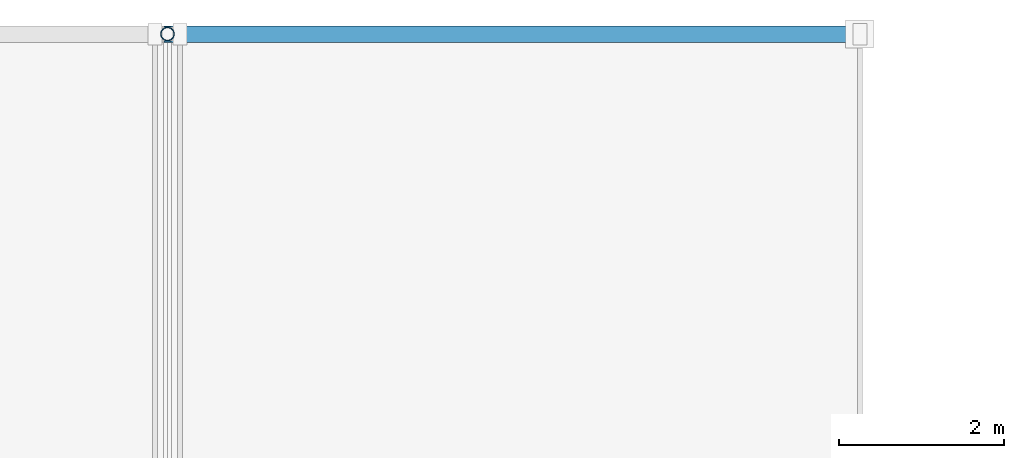
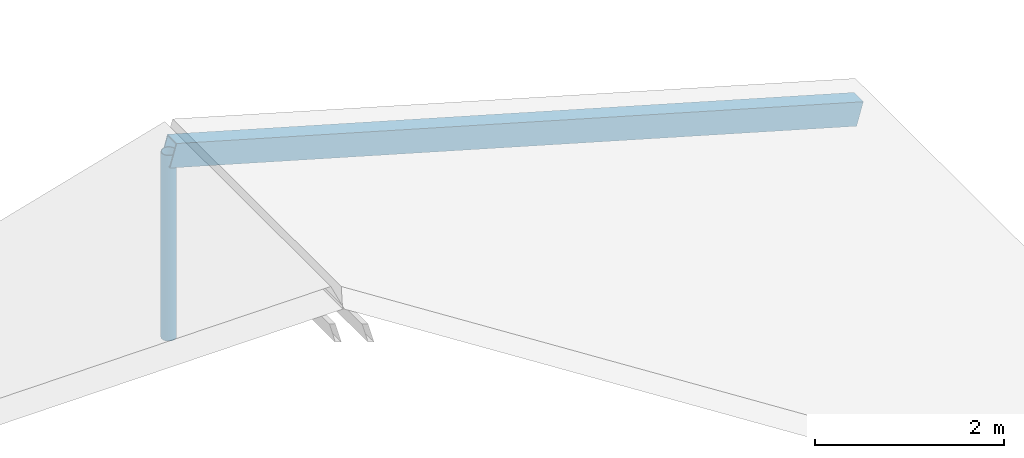
# One storey, part 72 of 130: 2 members.
"""IFC4 building model written with IfcOpenShell, lengths in metres."""

from ifc_helpers import new_model, si_unit, direction, frame, origin, origin_2d, place, context, subcontext, project, spatial, hollow_rectangle, hollow_circle, extrude, material, material_profile, profile_set, type_object, element, save


model = new_model("IFC4")

# Units and contexts
model_context = context("Model", 3, precision=1e-05, world=origin(), true_north=direction((0.0, 1.0)))
body_context = subcontext(model_context, "Body", "Model", "MODEL_VIEW")
ifc_project = project(units=[si_unit("LENGTHUNIT", "METRE"), si_unit("AREAUNIT", "SQUARE_METRE"), si_unit("VOLUMEUNIT", "CUBIC_METRE"), si_unit("PLANEANGLEUNIT", "RADIAN"), si_unit("MASSUNIT", "GRAM", prefix="KILO")], contexts=[model_context])

# Site, building, storey
site_placement = place(None, origin())
site = spatial("IfcSite", under=ifc_project, at=site_placement, CompositionType="ELEMENT")
building_placement = place(site_placement, origin())
building = spatial("IfcBuilding", under=site, at=building_placement, Name="Veltarok Museum of Natural Sciences", CompositionType="ELEMENT")
storey_placement = place(building_placement, frame((0.0, 0.0, 12.89990234375)))
storey = spatial("IfcBuildingStorey", under=building, at=storey_placement, Name="L02", CompositionType="ELEMENT", Elevation=12.89990234375)

# Members
ifc_material = material(Name="Oxide-red painted Steel S355J2", Category="steel")
ifc_material_profile_1 = material_profile(ifc_material, hollow_rectangle(XDim=0.199951171875, YDim=0.300048828125, WallThickness=0.012451171875, at=origin_2d()), Name="RHS 300x200x12.5")
ifc_profile_set_1 = profile_set([ifc_material_profile_1], Name="Oxide-red painted Steel S355J2")
member_type_1 = type_object("IfcMemberType", Name="Passage Portal Chord RHS 300x200x12.5", PredefinedType="CHORD", material=ifc_profile_set_1)
member_1_placement = place(storey_placement, frame((40.0, 100.800048828125, 0.300048828125), z_axis=(0.96152605678, 0.0, -0.274713745804), x_axis=(0.0, 1.0, 0.0)))
element("IfcMember", 1, at=member_1_placement, inside=storey, type_object=member_type_1, Name="Passage Portal Chord Y=100.8 2", PredefinedType="CHORD", context=body_context, shape_type="SweptSolid", body=[
    extrude(hollow_rectangle(XDim=0.199951171875, YDim=0.300048828125, WallThickness=0.012451171875, at=origin_2d()), origin(), (0.0, 0.0, 1.0), 8.736083984375),
])
ifc_material_profile_2 = material_profile(ifc_material, hollow_circle(Radius=0.084228515625, WallThickness=0.008056640625, at=origin_2d()), Name="CHS 168.3x8")
ifc_profile_set_2 = profile_set([ifc_material_profile_2], Name="Oxide-red painted Steel S355J2")
member_type_2 = type_object("IfcMemberType", Name="Sawtooth Truss Vertical Strut CHS 168.3x8", PredefinedType="STRUT", material=ifc_profile_set_2)
member_2_placement = place(storey_placement, frame((40.0, 100.800048828125, -2.099853515625), z_axis=(0.0, 0.0, 1.0), x_axis=(1.0, 0.0, 0.0)))
element("IfcMember", 2, at=member_2_placement, inside=storey, type_object=member_type_2, Name="Passage Portal King-Post Y=100.8", PredefinedType="STRUT", context=body_context, shape_type="SweptSolid", body=[
    extrude(hollow_circle(Radius=0.084228515625, WallThickness=0.008056640625, at=origin_2d()), origin(), (0.0, 0.0, 1.0), 2.39990234375),
])

save(model, "model.ifc")
